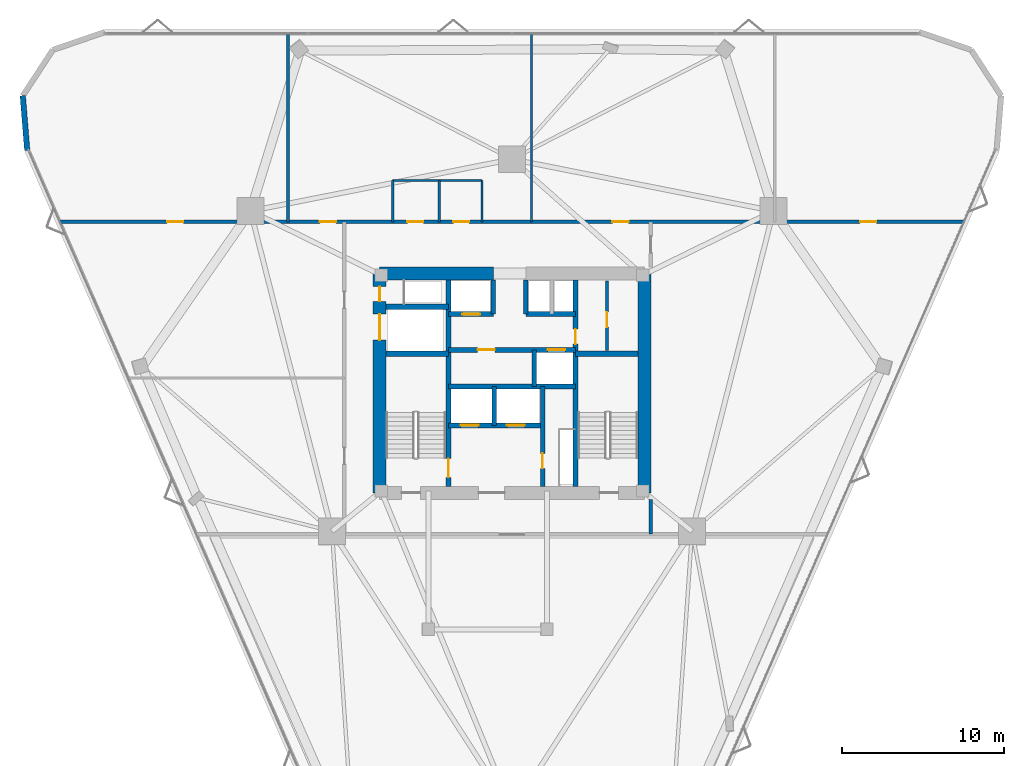
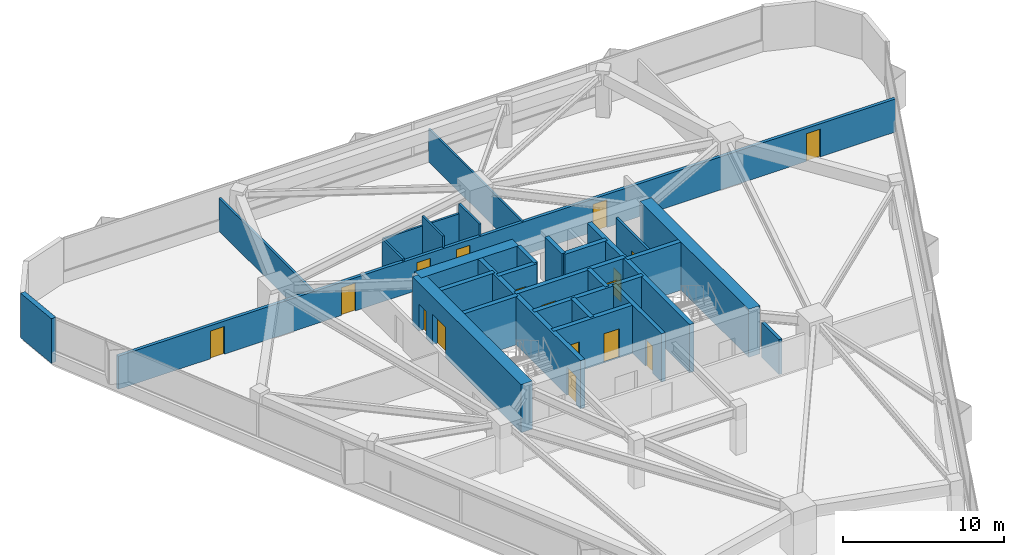
# One storey, part 12 of 15: 28 walls, 17 doors, 17 openings.
"""IFC4 building model written with IfcOpenShell, lengths in metres."""

from ifc_helpers import new_model, si_unit, direction, frame, frame_2d, origin, place, context, subcontext, project, spatial, rectangle, extrude, material, layer, layer_set, type_object, element, fill, save


model = new_model("IFC4")

# Units and contexts
model_context = context("Model", 3, precision=1e-05, world=origin(), true_north=direction((0.0, 1.0)))
body_context = subcontext(model_context, "Body", "Model", "MODEL_VIEW")
ifc_project = project(units=[si_unit("LENGTHUNIT", "METRE"), si_unit("AREAUNIT", "SQUARE_METRE"), si_unit("VOLUMEUNIT", "CUBIC_METRE"), si_unit("PLANEANGLEUNIT", "RADIAN"), si_unit("MASSUNIT", "GRAM", prefix="KILO")], contexts=[model_context])

# Site, building, storey
site_placement = place(None, origin())
site = spatial("IfcSite", under=ifc_project, at=site_placement, CompositionType="ELEMENT")
building_placement = place(site_placement, origin())
building = spatial("IfcBuilding", under=site, at=building_placement, Name="Talyreon Biosciences Tower", CompositionType="ELEMENT")
storey_placement = place(building_placement, frame((0.0, 0.0, 111.5)))
storey = spatial("IfcBuildingStorey", under=building, at=storey_placement, Name="L29", CompositionType="ELEMENT", Elevation=111.5)

# Walls
ifc_material_1 = material(Name="Concrete C50/60", Category="concrete")
ifc_layer_1 = layer(ifc_material_1, 0.280029296875)
ifc_layer_set_1 = layer_set([ifc_layer_1], Name="Concrete C50/60")
wall_type_1 = type_object("IfcWallType", Name="CoreShearWall_280", PredefinedType="SHEAR", material=ifc_layer_set_1)
wall_1_placement = place(storey_placement, frame((64.919921875, 65.39990234375, 0.0), z_axis=(0.0, 0.0, 1.0), x_axis=(0.0, 1.0, 0.0)))
element("IfcWall", 1, at=wall_1_placement, inside=storey, type_object=wall_type_1, Name="L29 Core Shaft Wall SWSHD1", PredefinedType="SHEAR", context=body_context, shape_type="SweptSolid", body=[
    extrude(rectangle(XDim=2.400146484375, YDim=0.280029296875, at=frame_2d((1.2001953125, 0.0))), origin(), (0.0, 0.0, 1.0), 3.64990234375),
])
for number, where, z_axis, x_axis, name in (
    (2, (64.85009765625, 72.25, 0.0), (0.0, 0.0, 1.0), (0.0, 1.0, 0.0), "L29 Core Shaft Wall SWTHW"),
    (3, (66.85009765625, 72.25, 0.0), (0.0, 0.0, 1.0), (0.0, 1.0, 0.0), "L29 Core Shaft Wall SWTHE"),
):
    element("IfcWall", number, at=place(storey_placement, frame(where, z_axis=z_axis, x_axis=x_axis)), inside=storey, type_object=wall_type_1, Name=name, PredefinedType="SHEAR", context=body_context, shape_type="SweptSolid", body=[
        extrude(rectangle(XDim=2.10009765625, YDim=0.280029296875, at=frame_2d((1.050048828125, 0.0))), origin(), (0.0, 0.0, 1.0), 3.64990234375),
    ])

# Wall, opening, door
wall_2_placement = place(storey_placement, frame((67.8798828125, 61.64990234375, 0.0), z_axis=(0.0, 0.0, 1.0), x_axis=(0.0, 1.0, 0.0)))
wall_2 = element("IfcWall", 4, at=wall_2_placement, inside=storey, type_object=wall_type_1, Name="L29 Core Shaft Wall SWFFE", PredefinedType="SHEAR", context=body_context, shape_type="SweptSolid", body=[
    extrude(rectangle(XDim=6.150146484375, YDim=0.280029296875, at=frame_2d((3.0751953125, 0.0))), origin(), (0.0, 0.0, 1.0), 3.64990234375),
])
opening_1_placement = place(wall_2_placement, frame((1.10009765625, 0.0, 0.0)))
opening_1 = element("IfcOpeningElement", 5, at=opening_1_placement, cuts=wall_2, Name="Opening DR-L29-RSE", PredefinedType="OPENING", context=body_context, shape_type="SweptSolid", body=[
    extrude(rectangle(XDim=0.919921875, YDim=2.050048828125, at=frame_2d((0.4599609375, 1.02490234375))), frame((0.0, 0.14990234375, 0.0), z_axis=(0.0, -1.0, 0.0), x_axis=(1.0, 0.0, 0.0)), (0.0, 0.0, 1.0), 0.300048828125),
])
ifc_material_2 = material(Name="Painted steel fire-rated riser door", Category="steel")
door_type_1 = type_object("IfcDoorType", Name="RiserPlantAccessDoor_920x2050", OperationType="NOTDEFINED", PredefinedType="DOOR", material=ifc_material_2)
door_1_placement = place(opening_1_placement, origin())
door_1 = element("IfcDoor", 6, at=door_1_placement, inside=storey, type_object=door_type_1, Name="L29 Core Door DR-L29-RSE", OperationType="SINGLE_SWING_RIGHT", OverallHeight=2.050048828125, OverallWidth=0.919921875, PredefinedType="DOOR", context=body_context, shape_type="SweptSolid", body=[
    extrude(rectangle(XDim=0.919921875, YDim=2.050048828125, at=frame_2d((0.4599609375, 1.02490234375))), frame((0.0, 0.02490234375, 0.0), z_axis=(0.0, -1.0, 0.0), x_axis=(1.0, 0.0, 0.0)), (0.0, 0.0, 1.0), 0.050048828125),
])
fill(opening_1, door_1)

# Wall
wall_3_placement = place(storey_placement, frame((67.3798828125, 67.800048828125, 0.0), z_axis=(0.0, 0.0, 1.0), x_axis=(0.0, 1.0, 0.0)))
element("IfcWall", 7, at=wall_3_placement, inside=storey, type_object=wall_type_1, Name="L29 Core Shaft Wall SWPMD", PredefinedType="SHEAR", context=body_context, shape_type="SweptSolid", body=[
    extrude(rectangle(XDim=2.25, YDim=0.280029296875, at=frame_2d((1.125, 0.0))), origin(), (0.0, 0.0, 1.0), 3.64990234375),
])

# Wall, opening, door
ifc_layer_2 = layer(ifc_material_1, 0.320068359375)
ifc_layer_set_2 = layer_set([ifc_layer_2], Name="Concrete C50/60")
wall_type_2 = type_object("IfcWallType", Name="CoreShearWall_320", PredefinedType="SHEAR", material=ifc_layer_set_2)
wall_4_placement = place(storey_placement, frame((62.090087890625, 61.64990234375, 0.0), z_axis=(0.0, 0.0, 1.0), x_axis=(0.0, 1.0, 0.0)))
wall_4 = element("IfcWall", 8, at=wall_4_placement, inside=storey, type_object=wall_type_2, Name="L29 Core Shaft Wall SW1E", PredefinedType="SHEAR", context=body_context, shape_type="SweptSolid", body=[
    extrude(rectangle(XDim=12.7001953125, YDim=0.320068359375, at=frame_2d((6.35009765625, 0.0))), origin(), (0.0, 0.0, 1.0), 3.64990234375),
])
opening_2_placement = place(wall_4_placement, frame((0.550048828125, 0.0, 0.0)))
opening_2 = element("IfcOpeningElement", 9, at=opening_2_placement, cuts=wall_4, Name="Opening DR-L29-FF-ST1", PredefinedType="OPENING", context=body_context, shape_type="SweptSolid", body=[
    extrude(rectangle(XDim=1.14990234375, YDim=2.14990234375, at=frame_2d((0.574951171875, 1.074951171875))), frame((0.0, 0.169921875, 0.0), z_axis=(0.0, -1.0, 0.0), x_axis=(1.0, 0.0, 0.0)), (0.0, 0.0, 1.0), 0.340087890625),
])
ifc_material_3 = material(Name="Painted steel fire door", Category="steel")
door_type_2 = type_object("IfcDoorType", Name="StairShaftFireDoor_1150x2150", OperationType="NOTDEFINED", PredefinedType="DOOR", material=ifc_material_3)
door_2_placement = place(opening_2_placement, origin())
door_2 = element("IfcDoor", 10, at=door_2_placement, inside=storey, type_object=door_type_2, Name="L29 Core Door DR-L29-FF-ST1", OperationType="SINGLE_SWING_LEFT", OverallHeight=2.14990234375, OverallWidth=1.14990234375, PredefinedType="DOOR", context=body_context, shape_type="SweptSolid", body=[
    extrude(rectangle(XDim=1.14990234375, YDim=2.14990234375, at=frame_2d((0.574951171875, 1.074951171875))), frame((0.0, 0.02490234375, 0.0), z_axis=(0.0, -1.0, 0.0), x_axis=(1.0, 0.0, 0.0)), (0.0, 0.0, 1.0), 0.050048828125),
])
fill(opening_2, door_2)

wall_5_placement = place(storey_placement, frame((69.909912109375, 61.64990234375, 0.0), z_axis=(0.0, 0.0, 1.0), x_axis=(0.0, 1.0, 0.0)))
wall_5 = element("IfcWall", 11, at=wall_5_placement, inside=storey, type_object=wall_type_2, Name="L29 Core Shaft Wall SW2W", PredefinedType="SHEAR", context=body_context, shape_type="SweptSolid", body=[
    extrude(rectangle(XDim=12.7001953125, YDim=0.320068359375, at=frame_2d((6.35009765625, 0.0))), origin(), (0.0, 0.0, 1.0), 3.64990234375),
])
opening_3_placement = place(wall_5_placement, frame((8.75, 0.0, 0.0)))
opening_3 = element("IfcOpeningElement", 12, at=opening_3_placement, cuts=wall_5, Name="Opening DR-L29-CSRV", PredefinedType="OPENING", context=body_context, shape_type="SweptSolid", body=[
    extrude(rectangle(XDim=0.919921875, YDim=2.050048828125, at=frame_2d((0.4599609375, 1.02490234375))), frame((0.0, 0.169921875, 0.0), z_axis=(0.0, -1.0, 0.0), x_axis=(1.0, 0.0, 0.0)), (0.0, 0.0, 1.0), 0.340087890625),
])
door_3_placement = place(opening_3_placement, origin())
door_3 = element("IfcDoor", 13, at=door_3_placement, inside=storey, type_object=door_type_1, Name="L29 Core Door DR-L29-CSRV", OperationType="SINGLE_SWING_RIGHT", OverallHeight=2.050048828125, OverallWidth=0.919921875, PredefinedType="DOOR", context=body_context, shape_type="SweptSolid", body=[
    extrude(rectangle(XDim=0.919921875, YDim=2.050048828125, at=frame_2d((0.4599609375, 1.02490234375))), frame((0.0, 0.02490234375, 0.0), z_axis=(0.0, -1.0, 0.0), x_axis=(1.0, 0.0, 0.0)), (0.0, 0.0, 1.0), 0.050048828125),
])
fill(opening_3, door_3)

# Walls
for number, where, z_axis, x_axis, name in (
    (14, (58.25, 69.81005859375, 0.0), (0.0, 0.0, 1.0), (1.0, 0.0, 0.0), "L29 Core Shaft Wall SW1N"),
    (15, (69.909912109375, 69.81005859375, 0.0), (0.0, 0.0, 1.0), (1.0, 0.0, 0.0), "L29 Core Shaft Wall SW2N"),
    (16, (58.25, 72.699951171875, 0.0), (0.0, 0.0, 1.0), (1.0, 0.0, 0.0), "L29 Core Shaft Wall SWGLN"),
):
    element("IfcWall", number, at=place(storey_placement, frame(where, z_axis=z_axis, x_axis=x_axis)), inside=storey, type_object=wall_type_2, Name=name, PredefinedType="SHEAR", context=body_context, shape_type="SweptSolid", body=[
        extrude(rectangle(XDim=3.840087890625, YDim=0.320068359375, at=frame_2d((1.919921875, 0.0))), origin(), (0.0, 0.0, 1.0), 3.64990234375),
    ])
wall_6_placement = place(storey_placement, frame((62.090087890625, 67.800048828125, 0.0), z_axis=(0.0, 0.0, 1.0), x_axis=(1.0, 0.0, 0.0)))
element("IfcWall", 17, at=wall_6_placement, inside=storey, type_object=wall_type_2, Name="L29 Core Shaft Wall SWSHM", PredefinedType="SHEAR", context=body_context, shape_type="SweptSolid", body=[
    extrude(rectangle(XDim=7.81982421875, YDim=0.320068359375, at=frame_2d((3.909912109375, 0.0))), origin(), (0.0, 0.0, 1.0), 3.64990234375),
])

# Wall, openings, doors
wall_7_placement = place(storey_placement, frame((62.090087890625, 70.050048828125, 0.0), z_axis=(0.0, 0.0, 1.0), x_axis=(1.0, 0.0, 0.0)))
wall_7 = element("IfcWall", 18, at=wall_7_placement, inside=storey, type_object=wall_type_2, Name="L29 Core Shaft Wall SWSPN", PredefinedType="SHEAR", context=body_context, shape_type="SweptSolid", body=[
    extrude(rectangle(XDim=7.81982421875, YDim=0.320068359375, at=frame_2d((3.909912109375, 0.0))), origin(), (0.0, 0.0, 1.0), 3.64990234375),
])
opening_4_placement = place(wall_7_placement, frame((1.800048828125, 0.0, 0.0)))
opening_4 = element("IfcOpeningElement", 19, at=opening_4_placement, cuts=wall_7, Name="Opening DR-L29-PLFREE-A", PredefinedType="OPENING", context=body_context, shape_type="SweptSolid", body=[
    extrude(rectangle(XDim=1.050048828125, YDim=2.14990234375, at=frame_2d((0.52490234375, 1.074951171875))), frame((0.0, 0.169921875, 0.0), z_axis=(0.0, -1.0, 0.0), x_axis=(1.0, 0.0, 0.0)), (0.0, 0.0, 1.0), 0.340087890625),
])
opening_5_placement = place(wall_7_placement, frame((6.10009765625, 0.0, 0.0)))
opening_5 = element("IfcOpeningElement", 20, at=opening_5_placement, cuts=wall_7, Name="Opening LD-L29-PM1", PredefinedType="OPENING", context=body_context, shape_type="SweptSolid", body=[
    extrude(rectangle(XDim=1.10009765625, YDim=2.199951171875, at=frame_2d((0.550048828125, 1.10009765625))), frame((0.0, 0.169921875, 0.0), z_axis=(0.0, -1.0, 0.0), x_axis=(1.0, 0.0, 0.0)), (0.0, 0.0, 1.0), 0.340087890625),
])
ifc_material_4 = material(Name="Acoustic timber-core laboratory door", Category="wood")
door_type_3 = type_object("IfcDoorType", Name="DryLabSingleDoor_1050x2150", OperationType="NOTDEFINED", PredefinedType="DOOR", material=ifc_material_4)
door_4_placement = place(opening_4_placement, origin())
door_4 = element("IfcDoor", 21, at=door_4_placement, inside=storey, type_object=door_type_3, Name="L29 Core Door DR-L29-PLFREE-A", OperationType="SINGLE_SWING_LEFT", OverallHeight=2.14990234375, OverallWidth=1.050048828125, PredefinedType="DOOR", context=body_context, shape_type="SweptSolid", body=[
    extrude(rectangle(XDim=1.050048828125, YDim=2.14990234375, at=frame_2d((0.52490234375, 1.074951171875))), frame((0.0, 0.02490234375, 0.0), z_axis=(0.0, -1.0, 0.0), x_axis=(1.0, 0.0, 0.0)), (0.0, 0.0, 1.0), 0.050048828125),
])
fill(opening_4, door_4)
ifc_material_5 = material(Name="Brushed stainless-steel lift landing door", Category="steel")
door_type_4 = type_object("IfcDoorType", Name="LiftSlidingLandingDoor_1100x2200", OperationType="SLIDING_TO_LEFT", PredefinedType="DOOR", material=ifc_material_5)
door_5_placement = place(opening_5_placement, origin())
door_5 = element("IfcDoor", 22, at=door_5_placement, inside=storey, type_object=door_type_4, Name="L29 Core Door LD-L29-PM1", OperationType="SLIDING_TO_LEFT", OverallHeight=2.199951171875, OverallWidth=1.10009765625, PredefinedType="DOOR", context=body_context, shape_type="SweptSolid", body=[
    extrude(rectangle(XDim=1.10009765625, YDim=2.199951171875, at=frame_2d((0.550048828125, 1.10009765625))), frame((0.0, 0.02490234375, 0.0), z_axis=(0.0, -1.0, 0.0), x_axis=(1.0, 0.0, 0.0)), (0.0, 0.0, 1.0), 0.050048828125),
])
fill(opening_5, door_5)

# Wall, opening, door
wall_8_placement = place(storey_placement, frame((62.090087890625, 72.25, 0.0), z_axis=(0.0, 0.0, 1.0), x_axis=(1.0, 0.0, 0.0)))
wall_8 = element("IfcWall", 23, at=wall_8_placement, inside=storey, type_object=wall_type_2, Name="L29 Core Shaft Wall SWNPW", PredefinedType="SHEAR", context=body_context, shape_type="SweptSolid", body=[
    extrude(rectangle(XDim=2.760009765625, YDim=0.320068359375, at=frame_2d((1.3798828125, 0.0))), origin(), (0.0, 0.0, 1.0), 3.64990234375),
])
opening_6_placement = place(wall_8_placement, frame((0.85009765625, 0.0, 0.0)))
opening_6 = element("IfcOpeningElement", 24, at=opening_6_placement, cuts=wall_8, Name="Opening LD-L29-PM2", PredefinedType="OPENING", context=body_context, shape_type="SweptSolid", body=[
    extrude(rectangle(XDim=1.10009765625, YDim=2.199951171875, at=frame_2d((0.550048828125, 1.10009765625))), frame((0.0, 0.169921875, 0.0), z_axis=(0.0, -1.0, 0.0), x_axis=(1.0, 0.0, 0.0)), (0.0, 0.0, 1.0), 0.340087890625),
])
door_6_placement = place(opening_6_placement, origin())
door_6 = element("IfcDoor", 25, at=door_6_placement, inside=storey, type_object=door_type_4, Name="L29 Core Door LD-L29-PM2", OperationType="SLIDING_TO_LEFT", OverallHeight=2.199951171875, OverallWidth=1.10009765625, PredefinedType="DOOR", context=body_context, shape_type="SweptSolid", body=[
    extrude(rectangle(XDim=1.10009765625, YDim=2.199951171875, at=frame_2d((0.550048828125, 1.10009765625))), frame((0.0, 0.02490234375, 0.0), z_axis=(0.0, -1.0, 0.0), x_axis=(1.0, 0.0, 0.0)), (0.0, 0.0, 1.0), 0.050048828125),
])
fill(opening_6, door_6)

# Wall
wall_9_placement = place(storey_placement, frame((66.85009765625, 72.25, 0.0), z_axis=(0.0, 0.0, 1.0), x_axis=(1.0, 0.0, 0.0)))
element("IfcWall", 26, at=wall_9_placement, inside=storey, type_object=wall_type_2, Name="L29 Core Shaft Wall SWNPE", PredefinedType="SHEAR", context=body_context, shape_type="SweptSolid", body=[
    extrude(rectangle(XDim=3.059814453125, YDim=0.320068359375, at=frame_2d((1.52978515625, 0.0))), origin(), (0.0, 0.0, 1.0), 3.64990234375),
])

# Wall, openings, doors
wall_10_placement = place(storey_placement, frame((62.090087890625, 65.39990234375, 0.0), z_axis=(0.0, 0.0, 1.0), x_axis=(1.0, 0.0, 0.0)))
wall_10 = element("IfcWall", 27, at=wall_10_placement, inside=storey, type_object=wall_type_2, Name="L29 Core Shaft Wall SWFFN", PredefinedType="SHEAR", context=body_context, shape_type="SweptSolid", body=[
    extrude(rectangle(XDim=5.789794921875, YDim=0.320068359375, at=frame_2d((2.89501953125, 0.0))), origin(), (0.0, 0.0, 1.0), 3.64990234375),
])
opening_7_placement = place(wall_10_placement, frame((0.75, 0.0, 0.0)))
opening_7 = element("IfcOpeningElement", 28, at=opening_7_placement, cuts=wall_10, Name="Opening LD-L29-FL1", PredefinedType="OPENING", context=body_context, shape_type="SweptSolid", body=[
    extrude(rectangle(XDim=1.10009765625, YDim=2.199951171875, at=frame_2d((0.550048828125, 1.10009765625))), frame((0.0, 0.169921875, 0.0), z_axis=(0.0, -1.0, 0.0), x_axis=(1.0, 0.0, 0.0)), (0.0, 0.0, 1.0), 0.340087890625),
])
opening_8_placement = place(wall_10_placement, frame((3.60009765625, 0.0, 0.0)))
opening_8 = element("IfcOpeningElement", 29, at=opening_8_placement, cuts=wall_10, Name="Opening LD-L29-FL2", PredefinedType="OPENING", context=body_context, shape_type="SweptSolid", body=[
    extrude(rectangle(XDim=1.10009765625, YDim=2.199951171875, at=frame_2d((0.550048828125, 1.10009765625))), frame((0.0, 0.169921875, 0.0), z_axis=(0.0, -1.0, 0.0), x_axis=(1.0, 0.0, 0.0)), (0.0, 0.0, 1.0), 0.340087890625),
])
door_7_placement = place(opening_7_placement, origin())
door_7 = element("IfcDoor", 30, at=door_7_placement, inside=storey, type_object=door_type_4, Name="L29 Core Door LD-L29-FL1", OperationType="SLIDING_TO_LEFT", OverallHeight=2.199951171875, OverallWidth=1.10009765625, PredefinedType="DOOR", context=body_context, shape_type="SweptSolid", body=[
    extrude(rectangle(XDim=1.10009765625, YDim=2.199951171875, at=frame_2d((0.550048828125, 1.10009765625))), frame((0.0, 0.02490234375, 0.0), z_axis=(0.0, -1.0, 0.0), x_axis=(1.0, 0.0, 0.0)), (0.0, 0.0, 1.0), 0.050048828125),
])
fill(opening_7, door_7)
door_8_placement = place(opening_8_placement, origin())
door_8 = element("IfcDoor", 31, at=door_8_placement, inside=storey, type_object=door_type_4, Name="L29 Core Door LD-L29-FL2", OperationType="SLIDING_TO_LEFT", OverallHeight=2.199951171875, OverallWidth=1.10009765625, PredefinedType="DOOR", context=body_context, shape_type="SweptSolid", body=[
    extrude(rectangle(XDim=1.10009765625, YDim=2.199951171875, at=frame_2d((0.550048828125, 1.10009765625))), frame((0.0, 0.02490234375, 0.0), z_axis=(0.0, -1.0, 0.0), x_axis=(1.0, 0.0, 0.0)), (0.0, 0.0, 1.0), 0.050048828125),
])
fill(opening_8, door_8)

# Walls
ifc_material_6 = material(Name="Concrete C60/75", Category="concrete")
ifc_layer_3 = layer(ifc_material_6, 0.800048828125)
ifc_layer_set_3 = layer_set([ifc_layer_3], Name="Concrete C60/75")
wall_type_3 = type_object("IfcWallType", Name="CoreShearWall_800", PredefinedType="SHEAR", material=ifc_layer_set_3)
wall_11_placement = place(storey_placement, frame((74.14990234375, 61.25, 0.0), z_axis=(0.0, 0.0, 1.0), x_axis=(0.0, 1.0, 0.0)))
element("IfcWall", 32, at=wall_11_placement, inside=storey, type_object=wall_type_3, Name="L29 Core Shear Wall E", PredefinedType="SHEAR", context=body_context, shape_type="SweptSolid", body=[
    extrude(rectangle(XDim=13.5, YDim=0.800048828125, at=frame_2d((6.75, 0.0))), origin(), (0.0, 0.0, 1.0), 3.64990234375),
])
wall_12_placement = place(storey_placement, frame((64.85009765625, 74.75, 0.0), z_axis=(0.0, 0.0, 1.0), x_axis=(-1.0, 0.0, 0.0)))
element("IfcWall", 33, at=wall_12_placement, inside=storey, type_object=wall_type_3, Name="L29 Core Shear Wall NW", PredefinedType="SHEAR", context=body_context, shape_type="SweptSolid", body=[
    extrude(rectangle(XDim=7.0, YDim=0.800048828125, at=frame_2d((3.5, 0.0))), origin(), (0.0, 0.0, 1.0), 3.64990234375),
])

# Wall, openings, doors
wall_13_placement = place(storey_placement, frame((57.85009765625, 74.75, 0.0), z_axis=(0.0, 0.0, 1.0), x_axis=(0.0, -1.0, 0.0)))
wall_13 = element("IfcWall", 34, at=wall_13_placement, inside=storey, type_object=wall_type_3, Name="L29 Core Shear Wall W", PredefinedType="SHEAR", context=body_context, shape_type="SweptSolid", body=[
    extrude(rectangle(XDim=13.5, YDim=0.800048828125, at=frame_2d((6.75, 0.0))), origin(), (0.0, 0.0, 1.0), 3.64990234375),
])
opening_9_placement = place(wall_13_placement, frame((0.800048828125, 0.0, 0.0)))
opening_9 = element("IfcOpeningElement", 35, at=opening_9_placement, cuts=wall_13, Name="Opening DR-L29-RSW", PredefinedType="OPENING", context=body_context, shape_type="SweptSolid", body=[
    extrude(rectangle(XDim=0.919921875, YDim=2.050048828125, at=frame_2d((0.4599609375, 1.02490234375))), frame((0.0, 0.409912109375, 0.0), z_axis=(0.0, -1.0, 0.0), x_axis=(1.0, 0.0, 0.0)), (0.0, 0.0, 1.0), 0.820068359375),
])
opening_10_placement = place(wall_13_placement, frame((2.5, 0.0, 0.0)))
opening_10 = element("IfcOpeningElement", 36, at=opening_10_placement, cuts=wall_13, Name="Opening LD-L29-GL1", PredefinedType="OPENING", context=body_context, shape_type="SweptSolid", body=[
    extrude(rectangle(XDim=1.60009765625, YDim=2.300048828125, at=frame_2d((0.800048828125, 1.14990234375))), frame((0.0, 0.409912109375, 0.0), z_axis=(0.0, -1.0, 0.0), x_axis=(1.0, 0.0, 0.0)), (0.0, 0.0, 1.0), 0.820068359375),
])
ifc_material_7 = material(Name="Heavy-duty stainless-steel goods lift door", Category="steel")
door_type_5 = type_object("IfcDoorType", Name="GoodsLiftSlidingDoor_1600x2300", OperationType="DOUBLE_DOOR_SLIDING", PredefinedType="DOOR", material=ifc_material_7)
door_9_placement = place(opening_10_placement, origin())
door_9 = element("IfcDoor", 37, at=door_9_placement, inside=storey, type_object=door_type_5, Name="L29 Core Door LD-L29-GL1", OperationType="DOUBLE_DOOR_SLIDING", OverallHeight=2.300048828125, OverallWidth=1.60009765625, PredefinedType="DOOR", context=body_context, shape_type="SweptSolid", body=[
    extrude(rectangle(XDim=1.60009765625, YDim=2.300048828125, at=frame_2d((0.800048828125, 1.14990234375))), frame((0.0, 0.02490234375, 0.0), z_axis=(0.0, -1.0, 0.0), x_axis=(1.0, 0.0, 0.0)), (0.0, 0.0, 1.0), 0.050048828125),
])
fill(opening_10, door_9)
door_10_placement = place(opening_9_placement, origin())
door_10 = element("IfcDoor", 38, at=door_10_placement, inside=storey, type_object=door_type_1, Name="L29 Core Door DR-L29-RSW", OperationType="SINGLE_SWING_LEFT", OverallHeight=2.050048828125, OverallWidth=0.919921875, PredefinedType="DOOR", context=body_context, shape_type="SweptSolid", body=[
    extrude(rectangle(XDim=0.919921875, YDim=2.050048828125, at=frame_2d((0.4599609375, 1.02490234375))), frame((0.0, 0.02490234375, 0.0), z_axis=(0.0, -1.0, 0.0), x_axis=(1.0, 0.0, 0.0)), (0.0, 0.0, 1.0), 0.050048828125),
])
fill(opening_9, door_10)

ifc_material_8 = material(Name="Gypsum fireboard acoustic stud", Category="gypsum")
ifc_layer_4 = layer(ifc_material_8, 0.219970703125)
ifc_layer_set_4 = layer_set([ifc_layer_4], Name="Gypsum fireboard acoustic stud")
wall_type_4 = type_object("IfcWallType", Name="CorridorRatedPartition_220", PredefinedType="PARTITIONING", material=ifc_layer_set_4)
wall_14_placement = place(storey_placement, frame((38.164306640625, 77.929931640625, 0.0), z_axis=(0.0, 0.0, 1.0), x_axis=(1.0, 0.0, 0.0)))
wall_14 = element("IfcWall", 39, at=wall_14_placement, inside=storey, type_object=wall_type_4, Name="L29 Interior Wall IW-L29-COR-N", PredefinedType="PARTITIONING", context=body_context, shape_type="SweptSolid", body=[
    extrude(rectangle(XDim=55.67138671875, YDim=0.219970703125, at=frame_2d((27.835693359375, 0.0))), origin(), (0.0, 0.0, 1.0), 2.5048828125),
])
opening_11_placement = place(wall_14_placement, frame((21.39599609375, 0.0, 0.0)))
opening_11 = element("IfcOpeningElement", 40, at=opening_11_placement, cuts=wall_14, Name="Opening DR-L29-WC", PredefinedType="OPENING", context=body_context, shape_type="SweptSolid", body=[
    extrude(rectangle(XDim=0.97998046875, YDim=2.10009765625, at=frame_2d((0.489990234375, 1.050048828125))), frame((0.0, 0.119873046875, 0.0), z_axis=(0.0, -1.0, 0.0), x_axis=(1.0, 0.0, 0.0)), (0.0, 0.0, 1.0), 0.239990234375),
])
opening_12_placement = place(wall_14_placement, frame((24.220947265625, 0.0, 0.0)))
opening_12 = element("IfcOpeningElement", 41, at=opening_12_placement, cuts=wall_14, Name="Opening DR-L29-AWC", PredefinedType="OPENING", context=body_context, shape_type="SweptSolid", body=[
    extrude(rectangle(XDim=0.97998046875, YDim=2.10009765625, at=frame_2d((0.489990234375, 1.050048828125))), frame((0.0, 0.119873046875, 0.0), z_axis=(0.0, -1.0, 0.0), x_axis=(1.0, 0.0, 0.0)), (0.0, 0.0, 1.0), 0.239990234375),
])
opening_13_placement = place(wall_14_placement, frame((6.596923828125, 0.0, 0.0)))
opening_13 = element("IfcOpeningElement", 42, at=opening_13_placement, cuts=wall_14, Name="Opening DR-L29-N1A", PredefinedType="OPENING", context=body_context, shape_type="SweptSolid", body=[
    extrude(rectangle(XDim=1.0, YDim=2.10009765625, at=frame_2d((0.5, 1.050048828125))), frame((0.0, 0.119873046875, 0.0), z_axis=(0.0, -1.0, 0.0), x_axis=(1.0, 0.0, 0.0)), (0.0, 0.0, 1.0), 0.239990234375),
])
opening_14_placement = place(wall_14_placement, frame((16.0009765625, 0.0, 0.0)))
opening_14 = element("IfcOpeningElement", 43, at=opening_14_placement, cuts=wall_14, Name="Opening DR-L29-N2A", PredefinedType="OPENING", context=body_context, shape_type="SweptSolid", body=[
    extrude(rectangle(XDim=1.0, YDim=2.10009765625, at=frame_2d((0.5, 1.050048828125))), frame((0.0, 0.119873046875, 0.0), z_axis=(0.0, -1.0, 0.0), x_axis=(1.0, 0.0, 0.0)), (0.0, 0.0, 1.0), 0.239990234375),
])
opening_15_placement = place(wall_14_placement, frame((34.013916015625, 0.0, 0.0)))
opening_15 = element("IfcOpeningElement", 44, at=opening_15_placement, cuts=wall_14, Name="Opening DR-L29-N3A", PredefinedType="OPENING", context=body_context, shape_type="SweptSolid", body=[
    extrude(rectangle(XDim=1.0, YDim=2.10009765625, at=frame_2d((0.5, 1.050048828125))), frame((0.0, 0.119873046875, 0.0), z_axis=(0.0, -1.0, 0.0), x_axis=(1.0, 0.0, 0.0)), (0.0, 0.0, 1.0), 0.239990234375),
])
opening_16_placement = place(wall_14_placement, frame((49.27490234375, 0.0, 0.0)))
opening_16 = element("IfcOpeningElement", 45, at=opening_16_placement, cuts=wall_14, Name="Opening DR-L29-N4A", PredefinedType="OPENING", context=body_context, shape_type="SweptSolid", body=[
    extrude(rectangle(XDim=1.0, YDim=2.10009765625, at=frame_2d((0.5, 1.050048828125))), frame((0.0, 0.119873046875, 0.0), z_axis=(0.0, -1.0, 0.0), x_axis=(1.0, 0.0, 0.0)), (0.0, 0.0, 1.0), 0.239990234375),
])
ifc_material_9 = material(Name="Laminate moisture-resistant door", Category="wood")
door_type_6 = type_object("IfcDoorType", Name="AccessibleToiletDoor_980x2100", OperationType="NOTDEFINED", PredefinedType="DOOR", material=ifc_material_9)
door_11_placement = place(opening_11_placement, origin())
door_11 = element("IfcDoor", 46, at=door_11_placement, inside=storey, type_object=door_type_6, Name="L29 Interior Door DR-L29-WC", OperationType="SINGLE_SWING_LEFT", OverallHeight=2.10009765625, OverallWidth=0.97998046875, PredefinedType="DOOR", context=body_context, shape_type="SweptSolid", body=[
    extrude(rectangle(XDim=0.97998046875, YDim=2.10009765625, at=frame_2d((0.489990234375, 1.050048828125))), frame((0.0, 0.02490234375, 0.0), z_axis=(0.0, -1.0, 0.0), x_axis=(1.0, 0.0, 0.0)), (0.0, 0.0, 1.0), 0.050048828125),
])
fill(opening_11, door_11)
door_12_placement = place(opening_12_placement, origin())
door_12 = element("IfcDoor", 47, at=door_12_placement, inside=storey, type_object=door_type_6, Name="L29 Interior Door DR-L29-AWC", OperationType="SINGLE_SWING_LEFT", OverallHeight=2.10009765625, OverallWidth=0.97998046875, PredefinedType="DOOR", context=body_context, shape_type="SweptSolid", body=[
    extrude(rectangle(XDim=0.97998046875, YDim=2.10009765625, at=frame_2d((0.489990234375, 1.050048828125))), frame((0.0, 0.02490234375, 0.0), z_axis=(0.0, -1.0, 0.0), x_axis=(1.0, 0.0, 0.0)), (0.0, 0.0, 1.0), 0.050048828125),
])
fill(opening_12, door_12)
ifc_material_10 = material(Name="Acoustic oak veneer office door", Category="wood")
door_type_7 = type_object("IfcDoorType", Name="WriteupOfficeDoor_1000x2100", OperationType="NOTDEFINED", PredefinedType="DOOR", material=ifc_material_10)
door_13_placement = place(opening_13_placement, origin())
door_13 = element("IfcDoor", 48, at=door_13_placement, inside=storey, type_object=door_type_7, Name="L29 Interior Door DR-L29-N1A", OperationType="SINGLE_SWING_RIGHT", OverallHeight=2.10009765625, OverallWidth=1.0, PredefinedType="DOOR", context=body_context, shape_type="SweptSolid", body=[
    extrude(rectangle(XDim=1.0, YDim=2.10009765625, at=frame_2d((0.5, 1.050048828125))), frame((0.0, 0.02490234375, 0.0), z_axis=(0.0, -1.0, 0.0), x_axis=(1.0, 0.0, 0.0)), (0.0, 0.0, 1.0), 0.050048828125),
])
fill(opening_13, door_13)
door_14_placement = place(opening_14_placement, origin())
door_14 = element("IfcDoor", 49, at=door_14_placement, inside=storey, type_object=door_type_7, Name="L29 Interior Door DR-L29-N2A", OperationType="SINGLE_SWING_RIGHT", OverallHeight=2.10009765625, OverallWidth=1.0, PredefinedType="DOOR", context=body_context, shape_type="SweptSolid", body=[
    extrude(rectangle(XDim=1.0, YDim=2.10009765625, at=frame_2d((0.5, 1.050048828125))), frame((0.0, 0.02490234375, 0.0), z_axis=(0.0, -1.0, 0.0), x_axis=(1.0, 0.0, 0.0)), (0.0, 0.0, 1.0), 0.050048828125),
])
fill(opening_14, door_14)
door_15_placement = place(opening_15_placement, origin())
door_15 = element("IfcDoor", 50, at=door_15_placement, inside=storey, type_object=door_type_7, Name="L29 Interior Door DR-L29-N3A", OperationType="SINGLE_SWING_RIGHT", OverallHeight=2.10009765625, OverallWidth=1.0, PredefinedType="DOOR", context=body_context, shape_type="SweptSolid", body=[
    extrude(rectangle(XDim=1.0, YDim=2.10009765625, at=frame_2d((0.5, 1.050048828125))), frame((0.0, 0.02490234375, 0.0), z_axis=(0.0, -1.0, 0.0), x_axis=(1.0, 0.0, 0.0)), (0.0, 0.0, 1.0), 0.050048828125),
])
fill(opening_15, door_15)
door_16_placement = place(opening_16_placement, origin())
door_16 = element("IfcDoor", 51, at=door_16_placement, inside=storey, type_object=door_type_7, Name="L29 Interior Door DR-L29-N4A", OperationType="SINGLE_SWING_LEFT", OverallHeight=2.10009765625, OverallWidth=1.0, PredefinedType="DOOR", context=body_context, shape_type="SweptSolid", body=[
    extrude(rectangle(XDim=1.0, YDim=2.10009765625, at=frame_2d((0.5, 1.050048828125))), frame((0.0, 0.02490234375, 0.0), z_axis=(0.0, -1.0, 0.0), x_axis=(1.0, 0.0, 0.0)), (0.0, 0.0, 1.0), 0.050048828125),
])
fill(opening_16, door_16)

# Wall
wall_15_placement = place(storey_placement, frame((74.550048828125, 58.699951171875, 0.0), z_axis=(0.0, 0.0, 1.0), x_axis=(0.0, 1.0, 0.0)))
element("IfcWall", 52, at=wall_15_placement, inside=storey, type_object=wall_type_4, Name="L29 Interior Wall IW-L29-ECAP-S", PredefinedType="PARTITIONING", context=body_context, shape_type="SweptSolid", body=[
    extrude(rectangle(XDim=2.150146484375, YDim=0.219970703125, at=frame_2d((1.0751953125, 0.0))), origin(), (0.0, 0.0, 1.0), 2.655029296875),
])

# Wall, opening, door
ifc_material_11 = material(Name="Gypsum acoustic stud partition", Category="gypsum")
ifc_layer_5 = layer(ifc_material_11, 0.159912109375)
ifc_layer_set_5 = layer_set([ifc_layer_5], Name="Gypsum acoustic stud partition")
wall_type_5 = type_object("IfcWallType", Name="LabSeparationPartition_160", PredefinedType="PARTITIONING", material=ifc_layer_set_5)
wall_16_placement = place(storey_placement, frame((71.85009765625, 70.0, 0.0), z_axis=(0.0, 0.0, 1.0), x_axis=(0.0, 1.0, 0.0)))
wall_16 = element("IfcWall", 53, at=wall_16_placement, inside=storey, type_object=wall_type_5, Name="L29 Interior Wall IW-L29-CSRV-V", PredefinedType="PARTITIONING", context=body_context, shape_type="SweptSolid", body=[
    extrude(rectangle(XDim=4.300048828125, YDim=0.159912109375, at=frame_2d((2.14990234375, 0.0))), origin(), (0.0, 0.0, 1.0), 3.375),
])
opening_17_placement = place(wall_16_placement, frame((1.449951171875, 0.0, 0.0)))
opening_17 = element("IfcOpeningElement", 54, at=opening_17_placement, cuts=wall_16, Name="Opening DR-L29-CSRV-I", PredefinedType="OPENING", context=body_context, shape_type="SweptSolid", body=[
    extrude(rectangle(XDim=0.919921875, YDim=2.050048828125, at=frame_2d((0.4599609375, 1.02490234375))), frame((0.0, 0.08984375, 0.0), z_axis=(0.0, -1.0, 0.0), x_axis=(1.0, 0.0, 0.0)), (0.0, 0.0, 1.0), 0.179931640625),
])
door_17_placement = place(opening_17_placement, origin())
door_17 = element("IfcDoor", 55, at=door_17_placement, inside=storey, type_object=door_type_1, Name="L29 Interior Door DR-L29-CSRV-I", OperationType="SINGLE_SWING_RIGHT", OverallHeight=2.050048828125, OverallWidth=0.919921875, PredefinedType="DOOR", context=body_context, shape_type="SweptSolid", body=[
    extrude(rectangle(XDim=0.919921875, YDim=2.050048828125, at=frame_2d((0.4599609375, 1.02490234375))), frame((0.0, 0.02490234375, 0.0), z_axis=(0.0, -1.0, 0.0), x_axis=(1.0, 0.0, 0.0)), (0.0, 0.0, 1.0), 0.050048828125),
])
fill(opening_17, door_17)

# Walls
wall_17_placement = place(storey_placement, frame((52.2080078125, 77.929931640625, 0.0), z_axis=(0.0, 0.0, 1.0), x_axis=(0.0, 1.0, 0.0)))
element("IfcWall", 56, at=wall_17_placement, inside=storey, type_object=wall_type_5, Name="L29 Interior Wall IW-L29-NDIV1", PredefinedType="PARTITIONING", context=body_context, shape_type="SweptSolid", body=[
    extrude(rectangle(XDim=11.60498046875, YDim=0.159912109375, at=frame_2d((5.802490234375, 0.0))), origin(), (0.0, 0.0, 1.0), 2.5048828125),
])
ifc_layer_6 = layer(ifc_material_11, 0.1298828125)
ifc_layer_set_6 = layer_set([ifc_layer_6], Name="Gypsum acoustic stud partition")
wall_type_6 = type_object("IfcWallType", Name="OfficeWriteupPartition_130", PredefinedType="PARTITIONING", material=ifc_layer_set_6)
wall_18_placement = place(storey_placement, frame((67.199951171875, 77.929931640625, 0.0), z_axis=(0.0, 0.0, 1.0), x_axis=(0.0, 1.0, 0.0)))
element("IfcWall", 57, at=wall_18_placement, inside=storey, type_object=wall_type_6, Name="L29 Interior Wall IW-L29-NDIV2", PredefinedType="PARTITIONING", context=body_context, shape_type="SweptSolid", body=[
    extrude(rectangle(XDim=11.60498046875, YDim=0.1298828125, at=frame_2d((5.802490234375, 0.0))), origin(), (0.0, 0.0, 1.0), 2.5048828125),
])
ifc_material_12 = material(Name="Precast concrete C45/55", Category="concrete")
ifc_layer_7 = layer(ifc_material_12, 0.340087890625)
ifc_layer_set_7 = layer_set([ifc_layer_7], Name="Precast concrete C45/55")
wall_type_7 = type_object("IfcWallType", Name="PrecastConcreteSpandrelWall_340", PredefinedType="STANDARD", material=ifc_layer_set_7)
wall_19_placement = place(storey_placement, frame((36.146240234375, 82.338623046875, 0.0), z_axis=(0.0, 0.0, 1.0), x_axis=(-0.081254928028, 0.996693351373, 0.0)))
element("IfcWall", 58, at=wall_19_placement, inside=storey, type_object=wall_type_7, Name="L29 Rounded-Corner Concrete Pier 01", PredefinedType="STANDARD", context=body_context, shape_type="SweptSolid", body=[
    extrude(rectangle(XDim=3.374267578125, YDim=0.340087890625, at=frame_2d((1.68701171875, 0.0))), origin(), (0.0, 0.0, 1.0), 3.375),
])
ifc_material_13 = material(Name="Moisture-resistant cement-board stud", Category="gypsum")
ifc_layer_8 = layer(ifc_material_13, 0.14501953125)
ifc_layer_set_8 = layer_set([ifc_layer_8], Name="Moisture-resistant cement-board stud")
wall_type_8 = type_object("IfcWallType", Name="WetRoomPartition_145", PredefinedType="PARTITIONING", material=ifc_layer_set_8)
wall_20_placement = place(storey_placement, frame((58.64990234375, 77.929931640625, 0.0), z_axis=(0.0, 0.0, 1.0), x_axis=(0.0, 1.0, 0.0)))
element("IfcWall", 59, at=wall_20_placement, inside=storey, type_object=wall_type_8, Name="L29 Interior Wall IW-L29-WCL", PredefinedType="PARTITIONING", context=body_context, shape_type="SweptSolid", body=[
    extrude(rectangle(XDim=2.550048828125, YDim=0.14501953125, at=frame_2d((1.27490234375, 0.0))), origin(), (0.0, 0.0, 1.0), 2.655029296875),
])
for number, where, z_axis, x_axis, name in (
    (60, (61.52490234375, 77.929931640625, 0.0), (0.0, 0.0, 1.0), (0.0, 1.0, 0.0), "L29 Interior Wall IW-L29-WCM"),
    (61, (64.14990234375, 77.929931640625, 0.0), (0.0, 0.0, 1.0), (0.0, 1.0, 0.0), "L29 Interior Wall IW-L29-WCR"),
):
    element("IfcWall", number, at=place(storey_placement, frame(where, z_axis=z_axis, x_axis=x_axis)), inside=storey, type_object=wall_type_8, Name=name, PredefinedType="PARTITIONING", context=body_context, shape_type="SweptSolid", body=[
        extrude(rectangle(XDim=2.550048828125, YDim=0.14501953125, at=frame_2d((1.27490234375, 0.0))), origin(), (0.0, 0.0, 1.0), 3.375),
    ])
wall_21_placement = place(storey_placement, frame((58.64990234375, 80.47998046875, 0.0), z_axis=(0.0, 0.0, 1.0), x_axis=(1.0, 0.0, 0.0)))
element("IfcWall", 62, at=wall_21_placement, inside=storey, type_object=wall_type_8, Name="L29 Interior Wall IW-L29-WCT", PredefinedType="PARTITIONING", context=body_context, shape_type="SweptSolid", body=[
    extrude(rectangle(XDim=5.5, YDim=0.14501953125, at=frame_2d((2.75, 0.0))), origin(), (0.0, 0.0, 1.0), 2.655029296875),
])

save(model, "model.ifc")
